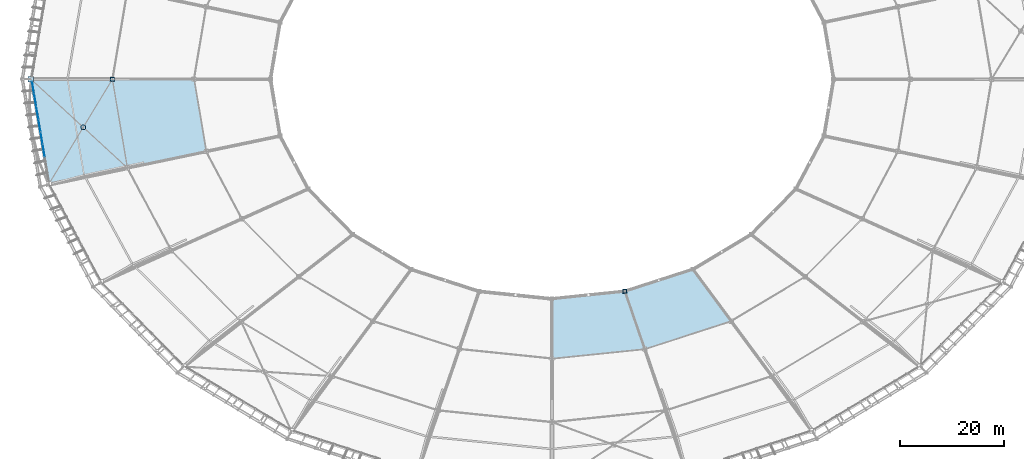
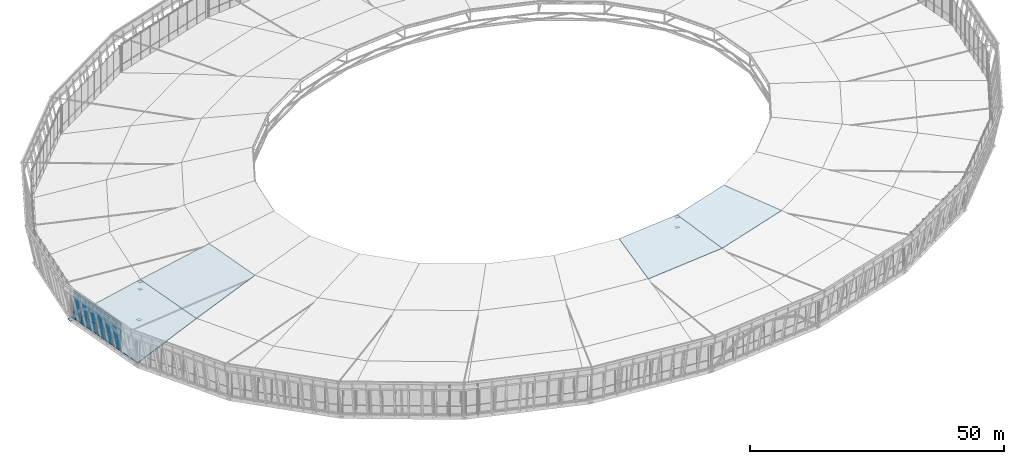
# One storey, part 85 of 115: 18 plates, 4 slabs, 3 elements without a shape of their own.
"""IFC4 building model written with IfcOpenShell, lengths in metres."""

from ifc_helpers import new_model, si_unit, direction, frame, origin, origin_2d, place, context, subcontext, project, spatial, polyline, rectangle, outline, extrude, material, layer, layer_set, type_object, element, aggregate, save


model = new_model("IFC4")

# Units and contexts
model_context = context("Model", 3, precision=1e-05, world=origin(), true_north=direction((0.0, 1.0)))
body_context = subcontext(model_context, "Body", "Model", "MODEL_VIEW")
ifc_project = project(units=[si_unit("LENGTHUNIT", "METRE"), si_unit("AREAUNIT", "SQUARE_METRE"), si_unit("VOLUMEUNIT", "CUBIC_METRE"), si_unit("PLANEANGLEUNIT", "RADIAN"), si_unit("MASSUNIT", "GRAM", prefix="KILO")], contexts=[model_context])

# Site, building, storey
site_placement = place(None, origin())
site = spatial("IfcSite", under=ifc_project, at=site_placement, CompositionType="ELEMENT")
building_placement = place(site_placement, origin())
building = spatial("IfcBuilding", under=site, at=building_placement, Name="Zlatoyarsky Gate Stadium", CompositionType="ELEMENT")
storey_placement = place(building_placement, frame((0.0, 0.0, 31.800048828125)))
storey = spatial("IfcBuildingStorey", under=building, at=storey_placement, Name="RF", CompositionType="ELEMENT", Elevation=31.800048828125)

# Curtain wall, plates
ifc_material_1 = material(Name="Thermally broken anodised aluminium curtain wall", Category="aluminium")
curtain_wall_type = type_object("IfcCurtainWallType", Name="MONUMENTAL ARCHED GATE GLAZING UPPER", PredefinedType="USERDEFINED", material=ifc_material_1)
curtain_wall_placement = place(storey_placement, origin())
curtain_wall = element("IfcCurtainWall", 1, at=curtain_wall_placement, inside=storey, type_object=curtain_wall_type, Name="Curtain wall CW-RF-12", ObjectType="ARCHED GATE GLAZING", PredefinedType="USERDEFINED")
ifc_material_2 = material(Name="Triple-glazed argon low-e architectural glass", Category="glass")
ifc_layer_1 = layer(ifc_material_2, 0.0458984375)
ifc_layer_set_1 = layer_set([ifc_layer_1], Name="Triple-glazed argon low-e architectural glass")
plate_type_1 = type_object("IfcPlateType", Name="ACOUSTIC LAMINATED GATE GLAZING PANEL 46", PredefinedType="CURTAIN_PANEL", material=ifc_layer_set_1)
plate_1_placement = place(storey_placement, frame((11.386474609375, 78.37646484375, 0.074951171875), z_axis=(0.0, 0.0, 1.0), x_axis=(0.166482179311, -0.986044463486, 0.0)))
plate_1 = element("IfcPlate", 2, at=plate_1_placement, type_object=plate_type_1, Name="CW-AG2 panel 1.1", PredefinedType="CURTAIN_PANEL", context=body_context, shape_type="SweptSolid", body=[
    extrude(rectangle(XDim=2.343017578125, YDim=0.0458984375, at=origin_2d()), origin(), (0.0, 0.0, 1.0), 2.03759765625),
])
plate_2_placement = place(storey_placement, frame((11.386474609375, 78.37646484375, 2.1875), z_axis=(0.0, 0.0, 1.0), x_axis=(0.166482179311, -0.986044463486, 0.0)))
plate_2 = element("IfcPlate", 3, at=plate_2_placement, type_object=plate_type_1, Name="CW-AG2 panel 1.2", PredefinedType="CURTAIN_PANEL", context=body_context, shape_type="SweptSolid", body=[
    extrude(rectangle(XDim=2.343017578125, YDim=0.0458984375, at=origin_2d()), origin(), (0.0, 0.0, 1.0), 4.637451171875),
])
plate_3_placement = place(storey_placement, frame((11.792236328125, 75.9736328125, 0.074951171875), z_axis=(0.0, 0.0, 1.0), x_axis=(0.166482179311, -0.986044463486, 0.0)))
plate_3 = element("IfcPlate", 4, at=plate_3_placement, type_object=plate_type_1, Name="CW-AG2 panel 2.1", PredefinedType="CURTAIN_PANEL", context=body_context, shape_type="SweptSolid", body=[
    extrude(rectangle(XDim=2.380615234375, YDim=0.0458984375, at=origin_2d()), origin(), (0.0, 0.0, 1.0), 2.03759765625),
])
plate_4_placement = place(storey_placement, frame((11.792236328125, 75.9736328125, 2.1875), z_axis=(0.0, 0.0, 1.0), x_axis=(0.166482179311, -0.986044463486, 0.0)))
plate_4 = element("IfcPlate", 5, at=plate_4_placement, type_object=plate_type_1, Name="CW-AG2 panel 2.2", PredefinedType="CURTAIN_PANEL", context=body_context, shape_type="SweptSolid", body=[
    extrude(rectangle(XDim=2.380615234375, YDim=0.0458984375, at=origin_2d()), origin(), (0.0, 0.0, 1.0), 4.637451171875),
])
plate_5_placement = place(storey_placement, frame((12.200927734375, 73.552490234375, 0.074951171875), z_axis=(0.0, 0.0, 1.0), x_axis=(0.166482179311, -0.986044463486, 0.0)))
plate_5 = element("IfcPlate", 6, at=plate_5_placement, type_object=plate_type_1, Name="CW-AG2 panel 3.1", PredefinedType="CURTAIN_PANEL", context=body_context, shape_type="SweptSolid", body=[
    extrude(rectangle(XDim=2.380615234375, YDim=0.0458984375, at=origin_2d()), origin(), (0.0, 0.0, 1.0), 2.03759765625),
])
plate_6_placement = place(storey_placement, frame((12.200927734375, 73.552490234375, 2.1875), z_axis=(0.0, 0.0, 1.0), x_axis=(0.166482179311, -0.986044463486, 0.0)))
plate_6 = element("IfcPlate", 7, at=plate_6_placement, type_object=plate_type_1, Name="CW-AG2 panel 3.2", PredefinedType="CURTAIN_PANEL", context=body_context, shape_type="SweptSolid", body=[
    extrude(rectangle(XDim=2.380615234375, YDim=0.0458984375, at=origin_2d()), origin(), (0.0, 0.0, 1.0), 4.637451171875),
])
plate_7_placement = place(storey_placement, frame((12.60986328125, 71.131103515625, 0.074951171875), z_axis=(0.0, 0.0, 1.0), x_axis=(0.166482179311, -0.986044463486, 0.0)))
plate_7 = element("IfcPlate", 8, at=plate_7_placement, type_object=plate_type_1, Name="CW-AG2 panel 4.1", PredefinedType="CURTAIN_PANEL", context=body_context, shape_type="SweptSolid", body=[
    extrude(rectangle(XDim=2.380615234375, YDim=0.0458984375, at=origin_2d()), origin(), (0.0, 0.0, 1.0), 2.03759765625),
])
plate_8_placement = place(storey_placement, frame((12.60986328125, 71.131103515625, 2.1875), z_axis=(0.0, 0.0, 1.0), x_axis=(0.166482179311, -0.986044463486, 0.0)))
plate_8 = element("IfcPlate", 9, at=plate_8_placement, type_object=plate_type_1, Name="CW-AG2 panel 4.2", PredefinedType="CURTAIN_PANEL", context=body_context, shape_type="SweptSolid", body=[
    extrude(rectangle(XDim=2.380615234375, YDim=0.0458984375, at=origin_2d()), origin(), (0.0, 0.0, 1.0), 4.637451171875),
])
plate_9_placement = place(storey_placement, frame((13.0185546875, 68.7099609375, 0.074951171875), z_axis=(0.0, 0.0, 1.0), x_axis=(0.166482179311, -0.986044463486, 0.0)))
plate_9 = element("IfcPlate", 10, at=plate_9_placement, type_object=plate_type_1, Name="CW-AG2 panel 5.1", PredefinedType="CURTAIN_PANEL", context=body_context, shape_type="SweptSolid", body=[
    extrude(rectangle(XDim=2.380615234375, YDim=0.0458984375, at=origin_2d()), origin(), (0.0, 0.0, 1.0), 2.03759765625),
])
plate_10_placement = place(storey_placement, frame((13.0185546875, 68.7099609375, 2.1875), z_axis=(0.0, 0.0, 1.0), x_axis=(0.166482179311, -0.986044463486, 0.0)))
plate_10 = element("IfcPlate", 11, at=plate_10_placement, type_object=plate_type_1, Name="CW-AG2 panel 5.2", PredefinedType="CURTAIN_PANEL", context=body_context, shape_type="SweptSolid", body=[
    extrude(rectangle(XDim=2.380615234375, YDim=0.0458984375, at=origin_2d()), origin(), (0.0, 0.0, 1.0), 4.637451171875),
])
plate_11_placement = place(storey_placement, frame((13.427490234375, 66.288818359375, 0.074951171875), z_axis=(0.0, 0.0, 1.0), x_axis=(0.166482179311, -0.986044463486, 0.0)))
plate_11 = element("IfcPlate", 12, at=plate_11_placement, type_object=plate_type_1, Name="CW-AG2 panel 6.1", PredefinedType="CURTAIN_PANEL", context=body_context, shape_type="SweptSolid", body=[
    extrude(rectangle(XDim=2.380615234375, YDim=0.0458984375, at=origin_2d()), origin(), (0.0, 0.0, 1.0), 2.03759765625),
])
plate_12_placement = place(storey_placement, frame((13.427490234375, 66.288818359375, 2.1875), z_axis=(0.0, 0.0, 1.0), x_axis=(0.166482179311, -0.986044463486, 0.0)))
plate_12 = element("IfcPlate", 13, at=plate_12_placement, type_object=plate_type_1, Name="CW-AG2 panel 6.2", PredefinedType="CURTAIN_PANEL", context=body_context, shape_type="SweptSolid", body=[
    extrude(rectangle(XDim=2.380615234375, YDim=0.0458984375, at=origin_2d()), origin(), (0.0, 0.0, 1.0), 4.637451171875),
])
aggregate(curtain_wall, [plate_1, plate_2, plate_3, plate_4, plate_5, plate_6, plate_7, plate_8, plate_9, plate_10, plate_11, plate_12])

# Roof, slabs
ifc_material_3 = material(Name="Standing-seam aluminium-zinc roofing with mineral wool insulation", Category="aluminium")
ifc_layer_2 = layer(ifc_material_3, 0.080078125)
ifc_layer_set_2 = layer_set([ifc_layer_2], Name="Standing-seam aluminium-zinc roofing with mineral wool insulation")
roof_type = type_object("IfcRoofType", Name="STADIUM BARREL VAULT ROOF ASSEMBLY", PredefinedType="BARREL_ROOF", material=ifc_layer_set_2)
roof_1_placement = place(storey_placement, origin())
roof_1 = element("IfcRoof", 14, at=roof_1_placement, inside=storey, type_object=roof_type, Name="Stadium barrel arch roof sector 5", PredefinedType="BARREL_ROOF")
ifc_material_4 = material(Name="Concrete C40/50", Category="concrete")
ifc_layer_3 = layer(ifc_material_4, 0.199951171875)
ifc_layer_set_3 = layer_set([ifc_layer_3], Name="Concrete C40/50")
slab_type = type_object("IfcSlabType", Name="COMPOSITE STADIUM ROOF DECK SLAB 200", PredefinedType="ROOF", material=ifc_layer_set_3)
slab_1_placement = place(storey_placement, frame((10.972412109375, 80.0, 0.199951171875), z_axis=(-0.212232882997, -0.035819109006, 0.97656243774), x_axis=(0.166422396487, -0.986054555259, 7.26426e-07)))
slab_1 = element("IfcSlab", 15, at=slab_1_placement, type_object=slab_type, Name="Stadium arched roof deck sector 12 bay 1", PredefinedType="ROOF", context=body_context, shape_type="SweptSolid", body=[
    extrude(outline(polyline([(0.0, 0.0), (20.480681111773205, -4.440892098500626e-16), (19.88110507793153, 15.796217675096024), (2.6035622218499994, 15.796345110952627), (0.0, 0.0)])), origin(), (0.0, 0.0, -1.0), 0.199951171875),
])
slab_2_placement = place(storey_placement, frame((26.61669921875, 80.0, 3.599853515625), z_axis=(-0.197288387171, -0.033296875225, 0.979779878538), x_axis=(0.166415266345, -0.98605575863, -7.92078e-07)))
slab_2 = element("IfcSlab", 16, at=slab_2_placement, type_object=slab_type, Name="Stadium arched roof deck sector 12 bay 2", PredefinedType="ROOF", context=body_context, shape_type="SweptSolid", body=[
    extrude(outline(polyline([(0.0, 0.0), (17.27754285655257, 4.440892098500626e-16), (16.677650205279438, 15.74462196374074), (2.603445710929395, 15.744497847299712), (0.0, 0.0)])), origin(), (0.0, 0.0, -1.0), 0.199951171875),
])
aggregate(roof_1, [slab_1, slab_2])

roof_2_placement = place(storey_placement, origin())
roof_2 = element("IfcRoof", 17, at=roof_2_placement, inside=storey, type_object=roof_type, Name="Stadium barrel arch roof sector 7", PredefinedType="BARREL_ROOF")
slab_3_placement = place(storey_placement, frame((111.0, 26.37939453125, 6.75), z_axis=(0.023082163871, -0.224749293914, 0.974143197172), x_axis=(0.994767639203, 0.102163320197, -2.62367e-07)))
slab_3 = element("IfcSlab", 18, at=slab_3_placement, type_object=slab_type, Name="Stadium arched roof deck sector 18 bay 3", PredefinedType="ROOF", context=body_context, shape_type="SweptSolid", body=[
    extrude(outline(polyline([(0.0, 0.0), (17.884594163179372, 2.220446049250313e-16), (15.22692324049982, 11.728805553058613), (1.1734058962268152, 11.728768464324467), (0.0, 0.0)])), origin(), (0.0, 0.0, -1.0), 0.199951171875),
])
slab_4_placement = place(storey_placement, frame((128.791015625, 28.20654296875, 6.75), z_axis=(0.067758031107, -0.209707146145, 0.975413636401), x_axis=(0.951560523066, 0.307461495055, 1.030491e-06)))
slab_4 = element("IfcSlab", 19, at=slab_4_placement, type_object=slab_type, Name="Stadium arched roof deck sector 19 bay 3", PredefinedType="ROOF", context=body_context, shape_type="SweptSolid", body=[
    extrude(outline(polyline([(0.0, 0.0), (17.42229735883615, 0.0), (13.475337252380454, 12.024067892131606), (-0.21537678755208206, 12.024213374428413), (0.0, 0.0)])), origin(), (0.0, 0.0, -1.0), 0.199951171875),
])
aggregate(roof_2, [slab_3, slab_4])

# Plates
ifc_material_5 = material(Name="Steel S355", Category="steel")
ifc_layer_4 = layer(ifc_material_5, 0.02392578125)
ifc_layer_set_4 = layer_set([ifc_layer_4], Name="Steel S355")
plate_type_2 = type_object("IfcPlateType", Name="STEEL COMPRESSION RING NODE CAP SHEET 24", PredefinedType="SHEET", material=ifc_layer_set_4)
plate_13_placement = place(storey_placement, frame((10.972412109375, 80.0, -0.4619140625), z_axis=(0.0, 0.0, 1.0), x_axis=(1.0, 0.0, 0.0)))
element("IfcPlate", 20, at=plate_13_placement, inside=storey, type_object=plate_type_2, Name="Node closure plate ND-CR1 NCAP-CR-12", PredefinedType="SHEET", context=body_context, shape_type="SweptSolid", body=[
    extrude(rectangle(XDim=1.050048828125, YDim=1.050048828125, at=origin_2d()), origin(), (0.0, 0.0, 1.0), 0.02392578125),
])
ifc_layer_5 = layer(ifc_material_5, 0.02392578125)
ifc_layer_set_5 = layer_set([ifc_layer_5], Name="Steel S355")
plate_type_3 = type_object("IfcPlateType", Name="STEEL HOLLOW CHORD SPLICE SHEET 24", PredefinedType="SHEET", material=ifc_layer_set_5)
plate_14_placement = place(storey_placement, frame((26.61669921875, 80.0, 3.137939453125), z_axis=(0.0, 0.0, 1.0), x_axis=(1.0, 0.0, 0.0)))
element("IfcPlate", 21, at=plate_14_placement, inside=storey, type_object=plate_type_3, Name="Node closure plate ND-SP1 NCAP-TCH-12-1", PredefinedType="SHEET", context=body_context, shape_type="SweptSolid", body=[
    extrude(rectangle(XDim=0.85009765625, YDim=0.85009765625, at=origin_2d()), origin(), (0.0, 0.0, 1.0), 0.02392578125),
])
plate_15_placement = place(storey_placement, frame((26.61669921875, 80.0, 1.337890625), z_axis=(0.0, 0.0, 1.0), x_axis=(1.0, 0.0, 0.0)))
element("IfcPlate", 22, at=plate_15_placement, inside=storey, type_object=plate_type_3, Name="Node closure plate ND-SP1 NCAP-BCH-12-1", PredefinedType="SHEET", context=body_context, shape_type="SweptSolid", body=[
    extrude(rectangle(XDim=0.719970703125, YDim=0.719970703125, at=origin_2d()), origin(), (0.0, 0.0, 1.0), 0.02392578125),
])
ifc_layer_6 = layer(ifc_material_5, 0.02392578125)
ifc_layer_set_6 = layer_set([ifc_layer_6], Name="Steel S355")
plate_type_4 = type_object("IfcPlateType", Name="STEEL TENSION RING NODE CAP SHEET 24", PredefinedType="SHEET", material=ifc_layer_set_6)
plate_16_placement = place(storey_placement, frame((124.97998046875, 39.30078125, 8.93798828125), z_axis=(0.0, 0.0, 1.0), x_axis=(1.0, 0.0, 0.0)))
element("IfcPlate", 23, at=plate_16_placement, inside=storey, type_object=plate_type_4, Name="Node closure plate ND-TR1 NCAP-TCH-19-3", PredefinedType="SHEET", context=body_context, shape_type="SweptSolid", body=[
    extrude(rectangle(XDim=0.85009765625, YDim=0.85009765625, at=origin_2d()), origin(), (0.0, 0.0, 1.0), 0.02392578125),
])
plate_17_placement = place(storey_placement, frame((124.97998046875, 39.30078125, 6.43798828125), z_axis=(0.0, 0.0, 1.0), x_axis=(1.0, 0.0, 0.0)))
element("IfcPlate", 24, at=plate_17_placement, inside=storey, type_object=plate_type_4, Name="Node closure plate ND-TR1 NCAP-BCH-19-3", PredefinedType="SHEET", context=body_context, shape_type="SweptSolid", body=[
    extrude(rectangle(XDim=0.719970703125, YDim=0.719970703125, at=origin_2d()), origin(), (0.0, 0.0, 1.0), 0.02392578125),
])
ifc_layer_7 = layer(ifc_material_5, 0.02392578125)
ifc_layer_set_7 = layer_set([ifc_layer_7], Name="Steel S355")
plate_type_5 = type_object("IfcPlateType", Name="STEEL X BRACE CROSSING NODE PLATE 24", PredefinedType="USERDEFINED", material=ifc_layer_set_7)
plate_18_placement = place(storey_placement, frame((21.017822265625, 70.759033203125, 1.582275390625), z_axis=(0.0, 0.0, 1.0), x_axis=(0.166424559018, -0.986054190273, 0.0)))
element("IfcPlate", 25, at=plate_18_placement, inside=storey, type_object=plate_type_5, Name="Roof wind X-brace crossing gusset plate ND-XB1 12", ObjectType="GUSSET PLATE", PredefinedType="USERDEFINED", context=body_context, shape_type="SweptSolid", body=[
    extrude(rectangle(XDim=0.840087890625, YDim=0.840087890625, at=origin_2d()), origin(), (0.0, 0.0, 1.0), 0.02392578125),
])

save(model, "model.ifc")
